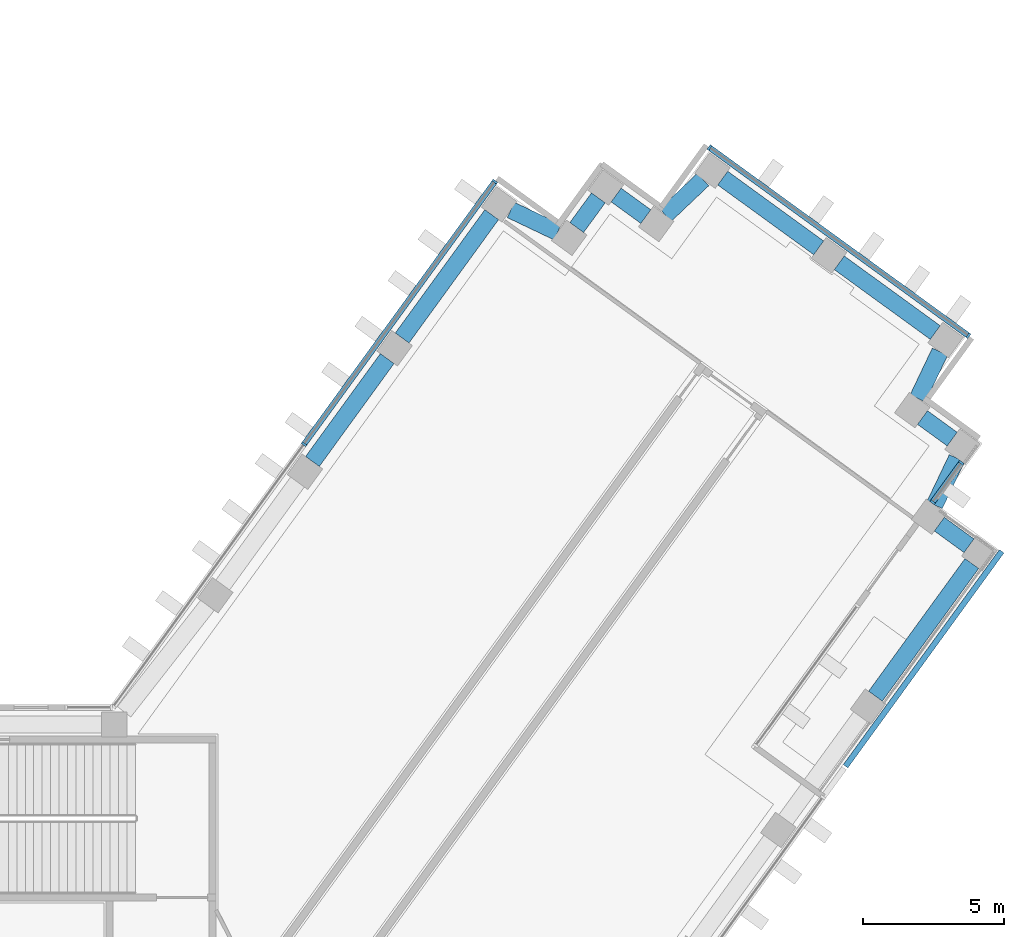
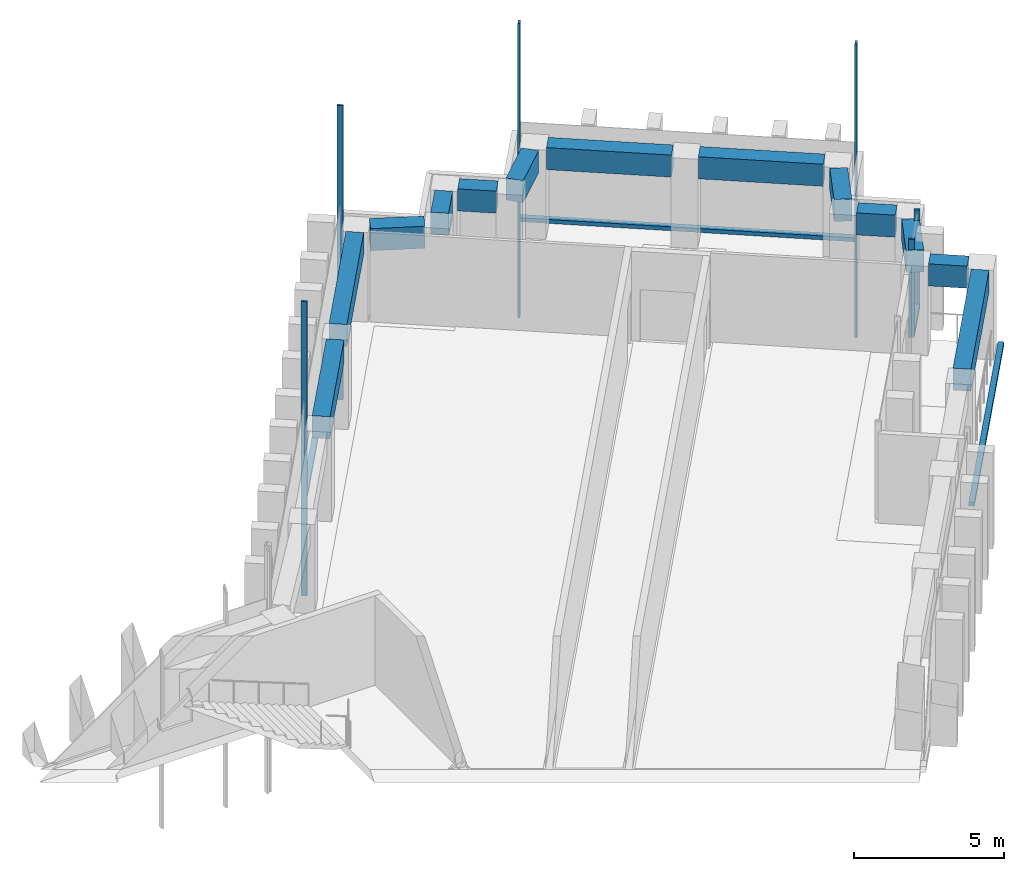
"""IFC4 building model written with IfcOpenShell, lengths in metres."""

from ifc_helpers import new_model, si_unit, direction, frame, origin, origin_2d, place, context, subcontext, project, spatial, rectangle, extrude, material, material_profile, profile_set, type_object, element, aggregate, save


model = new_model("IFC4")

# Units and contexts
model_context = context("Model", 3, precision=1e-05, world=origin(), true_north=direction((0.0, 1.0)))
body_context = subcontext(model_context, "Body", "Model", "MODEL_VIEW")
ifc_project = project(units=[si_unit("LENGTHUNIT", "METRE"), si_unit("AREAUNIT", "SQUARE_METRE"), si_unit("VOLUMEUNIT", "CUBIC_METRE"), si_unit("PLANEANGLEUNIT", "RADIAN"), si_unit("MASSUNIT", "GRAM", prefix="KILO")], contexts=[model_context])

# Site, building, storey
site_placement = place(None, origin())
site = spatial("IfcSite", under=ifc_project, at=site_placement, CompositionType="ELEMENT")
building_placement = place(site_placement, origin())
building = spatial("IfcBuilding", under=site, at=building_placement, Name="Quipu Civic Tower", CompositionType="ELEMENT")
storey_1_placement = place(building_placement, frame((0.0, 0.0, 89.0)))
storey_1 = spatial("IfcBuildingStorey", under=building, at=storey_1_placement, Name="L20", CompositionType="ELEMENT", Elevation=89.0)

# Curtain wall, members
ifc_material_1 = material(Name="Insulated glass unit", Category="glass")
curtain_wall_type = type_object("IfcCurtainWallType", Name="Office curtain wall CW1", PredefinedType="NOTDEFINED", material=ifc_material_1)
curtain_wall_1_placement = place(storey_1_placement, origin())
curtain_wall_1 = element("IfcCurtainWall", 1, at=curtain_wall_1_placement, inside=storey_1, type_object=curtain_wall_type, Name="Office curtain wall CW1 L20 run 6", PredefinedType="NOTDEFINED")
ifc_material_2 = material(Name="Anodised aluminium", Category="aluminium")
ifc_material_profile_1 = material_profile(ifc_material_2, rectangle(XDim=0.199951171875, YDim=0.080078125, at=origin_2d()), Name="RECT 200x80")
ifc_profile_set_1 = profile_set([ifc_material_profile_1], Name="Anodised aluminium")
member_type_1 = type_object("IfcMemberType", Name="Mullion CW1", PredefinedType="MULLION", material=ifc_profile_set_1)
member_1_placement = place(storey_1_placement, frame((43.357666015625, 18.368408203125, 0.080078125), z_axis=(0.0, 0.0, 1.0), x_axis=(-0.809021470815, 0.587779090952, 0.0)))
member_1 = element("IfcMember", 2, at=member_1_placement, type_object=member_type_1, Name="CW1 mullion 1", PredefinedType="MULLION", context=body_context, shape_type="SweptSolid", body=[
    extrude(rectangle(XDim=0.199951171875, YDim=0.080078125, at=origin_2d()), origin(), (0.0, 0.0, 1.0), 4.0),
])
member_2_placement = place(storey_1_placement, frame((44.3701171875, 19.761962890625, 0.080078125), z_axis=(0.0, 0.0, 1.0), x_axis=(-0.809021470815, 0.587779090952, 0.0)))
member_2 = element("IfcMember", 3, at=member_2_placement, type_object=member_type_1, Name="CW1 mullion 2", PredefinedType="MULLION", context=body_context, shape_type="SweptSolid", body=[
    extrude(rectangle(XDim=0.199951171875, YDim=0.080078125, at=origin_2d()), origin(), (0.0, 0.0, 1.0), 4.0),
])

curtain_wall_2_placement = place(storey_1_placement, origin())
curtain_wall_2 = element("IfcCurtainWall", 4, at=curtain_wall_2_placement, inside=storey_1, type_object=curtain_wall_type, Name="Office curtain wall CW1 L19 run 6", PredefinedType="NOTDEFINED")
member_3_placement = place(storey_1_placement, frame((44.62255859375, 24.260498046875, -3.919921875), z_axis=(0.0, 0.0, 1.0), x_axis=(-0.587787753918, -0.809015176832, 0.0)))
member_3 = element("IfcMember", 5, at=member_3_placement, type_object=member_type_1, Name="CW1 mullion 1", PredefinedType="MULLION", context=body_context, shape_type="SweptSolid", body=[
    extrude(rectangle(XDim=0.199951171875, YDim=0.080078125, at=origin_2d()), origin(), (0.0, 0.0, 1.0), 12.0),
])
member_4_placement = place(storey_1_placement, frame((35.46435546875, 30.914306640625, -3.919921875), z_axis=(0.0, 0.0, 1.0), x_axis=(-0.587787753918, -0.809015176832, 0.0)))
member_4 = element("IfcMember", 6, at=member_4_placement, type_object=member_type_1, Name="CW1 mullion 2", PredefinedType="MULLION", context=body_context, shape_type="SweptSolid", body=[
    extrude(rectangle(XDim=0.199951171875, YDim=0.080078125, at=origin_2d()), origin(), (0.0, 0.0, 1.0), 12.0),
])

curtain_wall_3_placement = place(storey_1_placement, origin())
curtain_wall_3 = element("IfcCurtainWall", 7, at=curtain_wall_3_placement, inside=storey_1, type_object=curtain_wall_type, Name="Office curtain wall CW1 L19 run 11", PredefinedType="NOTDEFINED")
member_5_placement = place(storey_1_placement, frame((27.865966796875, 29.7109375, -3.919921875), z_axis=(0.0, 0.0, 1.0), x_axis=(0.809014469803, -0.587788727052, 0.0)))
member_5 = element("IfcMember", 8, at=member_5_placement, type_object=member_type_1, Name="CW1 mullion 1", PredefinedType="MULLION", context=body_context, shape_type="SweptSolid", body=[
    extrude(rectangle(XDim=0.199951171875, YDim=0.080078125, at=origin_2d()), origin(), (0.0, 0.0, 1.0), 12.0),
])
member_6_placement = place(storey_1_placement, frame((21.11669921875, 20.421630859375, -3.919921875), z_axis=(0.0, 0.0, 1.0), x_axis=(0.809014469803, -0.587788727052, 0.0)))
member_6 = element("IfcMember", 9, at=member_6_placement, type_object=member_type_1, Name="CW1 mullion 2", PredefinedType="MULLION", context=body_context, shape_type="SweptSolid", body=[
    extrude(rectangle(XDim=0.199951171875, YDim=0.080078125, at=origin_2d()), origin(), (0.0, 0.0, 1.0), 12.0),
])

# Beams
ifc_material_3 = material(Name="Concrete C50/60", Category="concrete")
ifc_material_profile_2 = material_profile(ifc_material_3, rectangle(XDim=0.60009765625, YDim=0.89990234375, at=origin_2d()), Name="RC600x900")
ifc_profile_set_2 = profile_set([ifc_material_profile_2], Name="Concrete C50/60")
beam_type = type_object("IfcBeamType", Name="Spandrel beam RC 600x900 C50/60", PredefinedType="SPANDREL", material=ifc_profile_set_2)
beam_1_placement = place(storey_1_placement, frame((41.3349609375, 11.50146484375, 3.199951171875), z_axis=(0.587766353983, 0.809030724463, 0.0), x_axis=(-0.809030724463, 0.587766353983, 0.0)))
element("IfcBeam", 10, at=beam_1_placement, inside=storey_1, type_object=beam_type, Name="Spandrel beam L20 E-OUT-04 to T-Eo.0-E34", PredefinedType="SPANDREL", context=body_context, shape_type="SweptSolid", body=[
    extrude(rectangle(XDim=0.60009765625, YDim=0.89990234375, at=origin_2d()), origin(), (0.0, 0.0, 1.0), 5.802734375),
])
beam_2_placement = place(storey_1_placement, frame((44.646240234375, 16.82470703125, 3.199951171875), z_axis=(-0.808524921146, 0.588461937499, 0.0), x_axis=(-0.588461937499, -0.808524921146, 0.0)))
element("IfcBeam", 11, at=beam_2_placement, inside=storey_1, type_object=beam_type, Name="Spandrel beam L20 T-Eo.0-E34 to T-Eo.1-E34", PredefinedType="SPANDREL", context=body_context, shape_type="SweptSolid", body=[
    extrude(rectangle(XDim=0.60009765625, YDim=0.89990234375, at=origin_2d()), origin(), (0.0, 0.0, 1.0), 1.30029296875),
])
beam_3_placement = place(storey_1_placement, frame((43.42822265625, 18.267578125, 3.199951171875), z_axis=(0.430677818234, 0.902505743406, 0.0), x_axis=(-0.902505743406, 0.430677818234, 0.0)))
element("IfcBeam", 12, at=beam_3_placement, inside=storey_1, type_object=beam_type, Name="Spandrel beam L20 T-Eo.1-E34 to T-Eo.2-E34", PredefinedType="SPANDREL", context=body_context, shape_type="SweptSolid", body=[
    extrude(rectangle(XDim=0.60009765625, YDim=0.89990234375, at=origin_2d()), origin(), (0.0, 0.0, 1.0), 1.833251953125),
])
beam_4_placement = place(storey_1_placement, frame((44.05078125, 20.59912109375, 3.199951171875), z_axis=(-0.809393823939, 0.587266240959, 0.0), x_axis=(-0.587266240959, -0.809393823939, 0.0)))
element("IfcBeam", 13, at=beam_4_placement, inside=storey_1, type_object=beam_type, Name="Spandrel beam L20 T-Eo.2-E34 to T-Eo.3-E34", PredefinedType="SPANDREL", context=body_context, shape_type="SweptSolid", body=[
    extrude(rectangle(XDim=0.60009765625, YDim=0.89990234375, at=origin_2d()), origin(), (0.0, 0.0, 1.0), 1.299072265625),
])
beam_5_placement = place(storey_1_placement, frame((42.83154296875, 22.03955078125, 3.199951171875), z_axis=(0.429892146977, 0.902880247856, 0.0), x_axis=(-0.902880247856, 0.429892146977, 0.0)))
element("IfcBeam", 14, at=beam_5_placement, inside=storey_1, type_object=beam_type, Name="Spandrel beam L20 T-Eo.3-E34 to T-Eo.4-E34", PredefinedType="SPANDREL", context=body_context, shape_type="SweptSolid", body=[
    extrude(rectangle(XDim=0.60009765625, YDim=0.89990234375, at=origin_2d()), origin(), (0.0, 0.0, 1.0), 1.829833984375),
])
beam_6_placement = place(storey_1_placement, frame((43.450927734375, 24.36962890625, 3.199951171875), z_axis=(-0.808987489375, 0.587825860298, 0.0), x_axis=(-0.587825860298, -0.808987489375, 0.0)))
element("IfcBeam", 15, at=beam_6_placement, inside=storey_1, type_object=beam_type, Name="Spandrel beam L20 T-Eo.4-E34 to TIP-E-01-E34", PredefinedType="SPANDREL", context=body_context, shape_type="SweptSolid", body=[
    extrude(rectangle(XDim=0.60009765625, YDim=0.89990234375, at=origin_2d()), origin(), (0.0, 0.0, 1.0), 4.1982421875),
])
beam_7_placement = place(storey_1_placement, frame((39.32666015625, 27.366455078125, 3.199951171875), z_axis=(-0.808969789945, 0.58785021813, 0.0), x_axis=(-0.58785021813, -0.808969789945, 0.0)))
element("IfcBeam", 16, at=beam_7_placement, inside=storey_1, type_object=beam_type, Name="Spandrel beam L20 TIP-E-01-E34 to T-Ei.0-E34", PredefinedType="SPANDREL", context=body_context, shape_type="SweptSolid", body=[
    extrude(rectangle(XDim=0.60009765625, YDim=0.89990234375, at=origin_2d()), origin(), (0.0, 0.0, 1.0), 4.199951171875),
])
beam_8_placement = place(storey_1_placement, frame((35.233154296875, 29.784912109375, 3.199951171875), z_axis=(-0.725209203815, -0.688528583795, 0.0), x_axis=(0.688528583795, -0.725209203815, 0.0)))
element("IfcBeam", 17, at=beam_8_placement, inside=storey_1, type_object=beam_type, Name="Spandrel beam L20 T-Ei.0-E34 to T-Ei.1-E34", PredefinedType="SPANDREL", context=body_context, shape_type="SweptSolid", body=[
    extrude(rectangle(XDim=0.60009765625, YDim=0.89990234375, at=origin_2d()), origin(), (0.0, 0.0, 1.0), 1.830322265625),
])
beam_9_placement = place(storey_1_placement, frame((33.209716796875, 28.4736328125, 3.199951171875), z_axis=(-0.809402563526, 0.587254195521, 0.0), x_axis=(-0.587254195521, -0.809402563526, 0.0)))
element("IfcBeam", 18, at=beam_9_placement, inside=storey_1, type_object=beam_type, Name="Spandrel beam L20 T-Ei.1-E34 to T-Ei.2-E34", PredefinedType="SPANDREL", context=body_context, shape_type="SweptSolid", body=[
    extrude(rectangle(XDim=0.60009765625, YDim=0.89990234375, at=origin_2d()), origin(), (0.0, 0.0, 1.0), 1.2978515625),
])
beam_10_placement = place(storey_1_placement, frame((31.52978515625, 29.136474609375, 3.199951171875), z_axis=(-0.589187485143, -0.80799635355, 0.0), x_axis=(0.80799635355, -0.589187485143, 0.0)))
element("IfcBeam", 19, at=beam_10_placement, inside=storey_1, type_object=beam_type, Name="Spandrel beam L20 T-Ei.2-E34 to T-Ei.3-E34", PredefinedType="SPANDREL", context=body_context, shape_type="SweptSolid", body=[
    extrude(rectangle(XDim=0.60009765625, YDim=0.89990234375, at=origin_2d()), origin(), (0.0, 0.0, 1.0), 1.2998046875),
])
beam_11_placement = place(storey_1_placement, frame((30.085693359375, 27.919677734375, 3.199951171875), z_axis=(-0.902567013751, 0.430549399823, 0.0), x_axis=(-0.430549399823, -0.902567013751, 0.0)))
element("IfcBeam", 20, at=beam_11_placement, inside=storey_1, type_object=beam_type, Name="Spandrel beam L20 T-Ei.3-E34 to T-Ei.4-E34", PredefinedType="SPANDREL", context=body_context, shape_type="SweptSolid", body=[
    extrude(rectangle(XDim=0.60009765625, YDim=0.89990234375, at=origin_2d()), origin(), (0.0, 0.0, 1.0), 1.8310546875),
])
beam_12_placement = place(storey_1_placement, frame((27.755615234375, 28.541015625, 3.199951171875), z_axis=(-0.58767640123, -0.809096068114, 0.0), x_axis=(0.809096068114, -0.58767640123, 0.0)))
element("IfcBeam", 21, at=beam_12_placement, inside=storey_1, type_object=beam_type, Name="Spandrel beam L20 T-Ei.4-E34 to E-IN-03", PredefinedType="SPANDREL", context=body_context, shape_type="SweptSolid", body=[
    extrude(rectangle(XDim=0.60009765625, YDim=0.89990234375, at=origin_2d()), origin(), (0.0, 0.0, 1.0), 5.39404296875),
])
beam_13_placement = place(storey_1_placement, frame((24.056884765625, 23.448486328125, 3.199951171875), z_axis=(-0.587778073121, -0.809022210299, 0.0), x_axis=(0.809022210299, -0.587778073121, 0.0)))
element("IfcBeam", 22, at=beam_13_placement, inside=storey_1, type_object=beam_type, Name="Spandrel beam L20 E-IN-03 to E-IN-02", PredefinedType="SPANDREL", context=body_context, shape_type="SweptSolid", body=[
    extrude(rectangle(XDim=0.60009765625, YDim=0.89990234375, at=origin_2d()), origin(), (0.0, 0.0, 1.0), 4.5),
])

# Storey
storey_2_placement = place(building_placement, frame((0.0, 0.0, 85.0)))
storey_2 = spatial("IfcBuildingStorey", under=building, at=storey_2_placement, Name="L19", CompositionType="ELEMENT", Elevation=85.0)

# Curtain wall, member
curtain_wall_4_placement = place(storey_2_placement, origin())
curtain_wall_4 = element("IfcCurtainWall", 23, at=curtain_wall_4_placement, inside=storey_2, type_object=curtain_wall_type, Name="Office curtain wall CW1 L19 run 1", PredefinedType="NOTDEFINED")
ifc_material_4 = material(Name="Anodised aluminium", Category="aluminium")
ifc_material_profile_3 = material_profile(ifc_material_4, rectangle(XDim=0.199951171875, YDim=0.159912109375, at=origin_2d()), Name="RECT 200x160")
ifc_profile_set_3 = profile_set([ifc_material_profile_3], Name="Anodised aluminium")
member_type_2 = type_object("IfcMemberType", Name="Transom CW1", PredefinedType="USERDEFINED", material=ifc_profile_set_3)
member_7_placement = place(storey_1_placement, frame((40.275146484375, 9.02197265625, 0.0), z_axis=(0.58778879159, 0.809014422913, 0.0), x_axis=(-0.809014422913, 0.58778879159, 0.0)))
member_7 = element("IfcMember", 24, at=member_7_placement, inside=storey_1, type_object=member_type_2, Name="CW1 transom 3.2", ObjectType="TRANSOM", PredefinedType="USERDEFINED", context=body_context, shape_type="SweptSolid", body=[
    extrude(rectangle(XDim=0.199951171875, YDim=0.159912109375, at=origin_2d()), origin(), (0.0, 0.0, 1.0), 9.403564453125),
])
aggregate(curtain_wall_4, [member_7])

# Member
member_8_placement = place(storey_1_placement, frame((43.381103515625, 18.400634765625, 0.159912109375), z_axis=(0.587826986079, 0.80898667136, 0.0), x_axis=(-0.80898667136, 0.587826986079, 0.0)))
member_8 = element("IfcMember", 25, at=member_8_placement, type_object=member_type_2, Name="CW1 transom 1.1", ObjectType="TRANSOM", PredefinedType="USERDEFINED", context=body_context, shape_type="SweptSolid", body=[
    extrude(rectangle(XDim=0.199951171875, YDim=0.159912109375, at=origin_2d()), origin(), (0.0, 0.0, 1.0), 1.642578125),
])

aggregate(curtain_wall_1, [member_1, member_2, member_8])

member_9_placement = place(storey_1_placement, frame((44.590087890625, 24.2841796875, 0.080078125), z_axis=(-0.809014959561, 0.587788052963, 0.0), x_axis=(-0.587788052963, -0.809014959561, 0.0)))
member_9 = element("IfcMember", 26, at=member_9_placement, type_object=member_type_2, Name="CW1 transom 1.2", ObjectType="TRANSOM", PredefinedType="USERDEFINED", context=body_context, shape_type="SweptSolid", body=[
    extrude(rectangle(XDim=0.199951171875, YDim=0.159912109375, at=origin_2d()), origin(), (0.0, 0.0, 1.0), 11.239990234375),
])

aggregate(curtain_wall_2, [member_3, member_4, member_9])

member_10_placement = place(storey_1_placement, frame((27.84228515625, 29.678466796875, 0.080078125), z_axis=(-0.587775682251, -0.809023947331, 0.0), x_axis=(0.809023947331, -0.587775682251, 0.0)))
member_10 = element("IfcMember", 27, at=member_10_placement, type_object=member_type_2, Name="CW1 transom 1.2", ObjectType="TRANSOM", PredefinedType="USERDEFINED", context=body_context, shape_type="SweptSolid", body=[
    extrude(rectangle(XDim=0.199951171875, YDim=0.159912109375, at=origin_2d()), origin(), (0.0, 0.0, 1.0), 11.402099609375),
])

aggregate(curtain_wall_3, [member_5, member_6, member_10])

save(model, "model.ifc")
